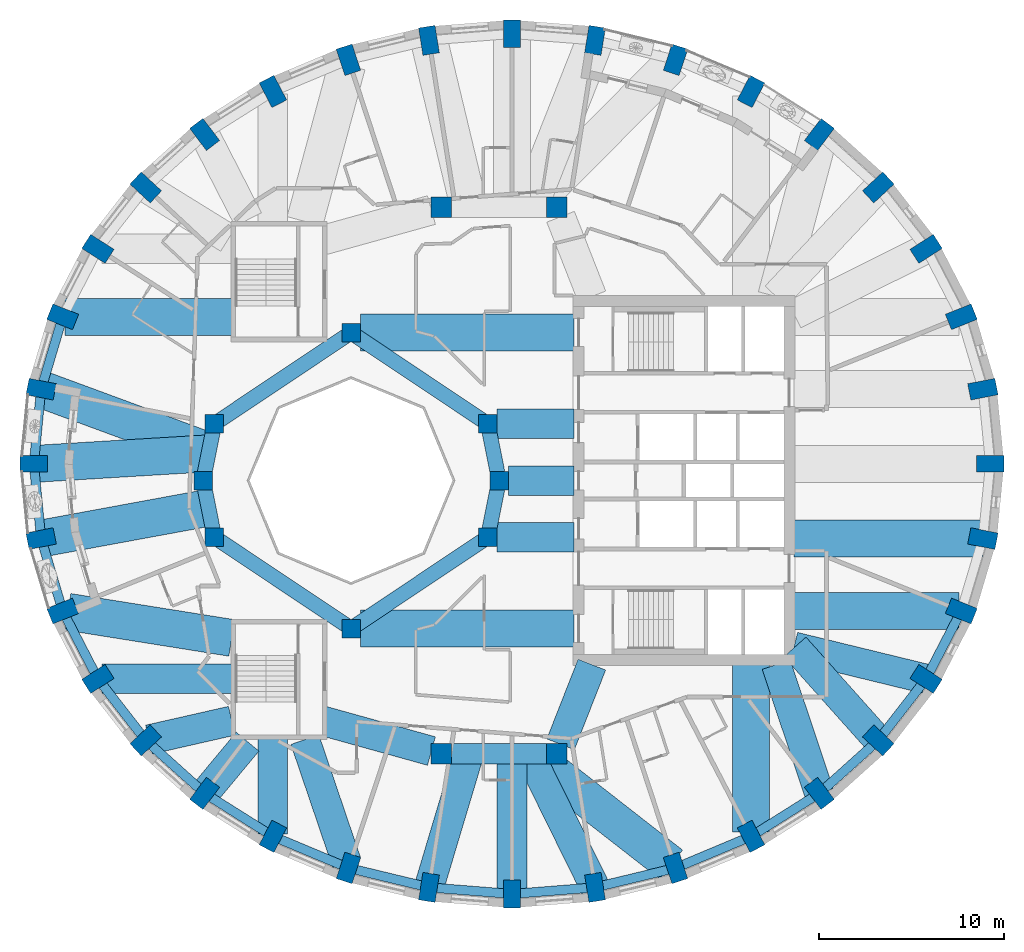
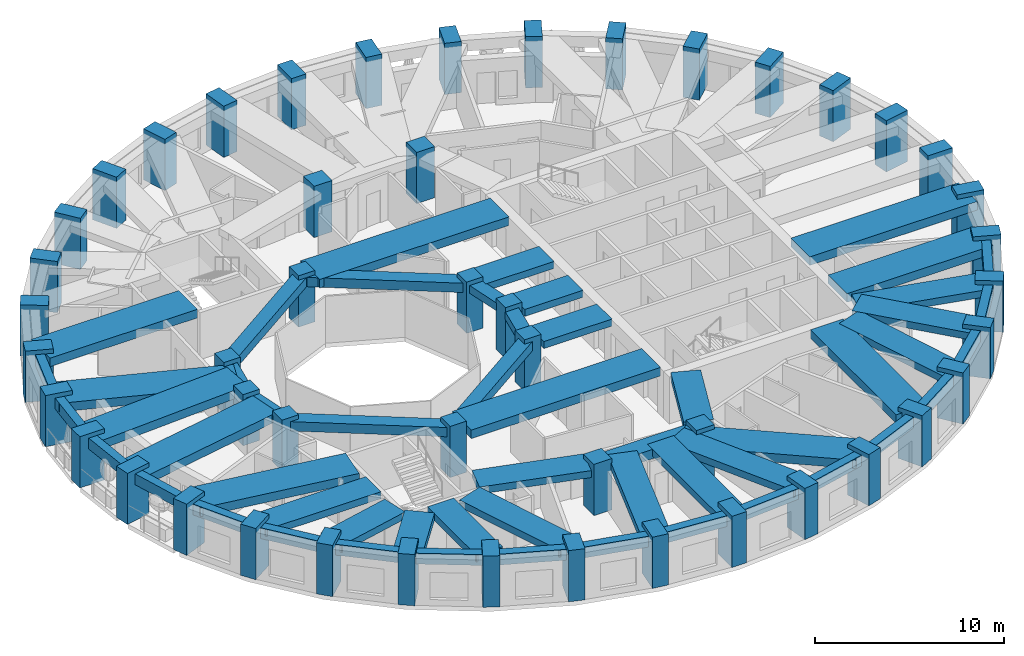
# One storey, part 1 of 12: 54 beams, 48 columns.
"""IFC4 building model written with IfcOpenShell, lengths in metres."""

from ifc_helpers import new_model, si_unit, direction, frame, origin, origin_2d, place, context, subcontext, project, spatial, rectangle, extrude, material, material_profile, profile_set, type_object, element, save


model = new_model("IFC4")

# Units and contexts
model_context = context("Model", 3, precision=1e-05, world=origin(), true_north=direction((0.0, 1.0)))
body_context = subcontext(model_context, "Body", "Model", "MODEL_VIEW")
ifc_project = project(units=[si_unit("LENGTHUNIT", "METRE"), si_unit("AREAUNIT", "SQUARE_METRE"), si_unit("VOLUMEUNIT", "CUBIC_METRE"), si_unit("PLANEANGLEUNIT", "RADIAN"), si_unit("MASSUNIT", "GRAM", prefix="KILO")], contexts=[model_context])

# Site, building, storey
site_placement = place(None, origin())
site = spatial("IfcSite", under=ifc_project, at=site_placement, CompositionType="ELEMENT")
building_placement = place(site_placement, origin())
building = spatial("IfcBuilding", under=site, at=building_placement, Name="Taillehof Tower", CompositionType="ELEMENT")
storey_placement = place(building_placement, frame((0.0, 0.0, 189.199951171875)))
storey = spatial("IfcBuildingStorey", under=building, at=storey_placement, Name="L53", CompositionType="ELEMENT", Elevation=189.199951171875)

# Columns
ifc_material_1 = material(Name="Concrete C50/60", Category="concrete")
ifc_material_profile_1 = material_profile(ifc_material_1, rectangle(XDim=1.0, YDim=1.0, at=origin_2d()), Name="RC 1000x1000")
ifc_profile_set_1 = profile_set([ifc_material_profile_1], Name="Concrete C50/60")
column_type_1 = type_object("IfcColumnType", Name="Atrium ring column C50/60 1000x1000", PredefinedType="COLUMN", material=ifc_profile_set_1)
for number, where, z_axis, x_axis, name in (
    (1, (0.0, 0.0, 0.0), (0.0, 0.0, 1.0), (1.0, 0.0, 0.0), "Column AC01"),
    (2, (-0.60888671875, 3.0615234375, 0.0), (0.0, 0.0, 1.0), (1.0, 0.0, 0.0), "Column AC02"),
    (3, (-8.0, 8.0, 0.0), (0.0, 0.0, 1.0), (1.0, 0.0, 0.0), "Column AC05"),
    (4, (-15.39111328125, 3.0615234375, 0.0), (0.0, 0.0, 1.0), (1.0, 0.0, 0.0), "Column AC08"),
    (5, (-16.0, 0.0, 0.0), (0.0, 0.0, 1.0), (1.0, 0.0, 0.0), "Column AC09"),
    (6, (-15.39111328125, -3.0615234375, 0.0), (0.0, 0.0, 1.0), (1.0, 0.0, 0.0), "Column AC10"),
    (7, (-8.0, -8.0, 0.0), (0.0, 0.0, 1.0), (1.0, 0.0, 0.0), "Column AC13"),
    (8, (-0.60888671875, -3.0615234375, 0.0), (0.0, 0.0, 1.0), (1.0, 0.0, 0.0), "Column AC16"),
):
    element("IfcColumn", number, at=place(storey_placement, frame(where, z_axis=z_axis, x_axis=x_axis)), inside=storey, type_object=column_type_1, Name=name, PredefinedType="COLUMN", context=body_context, shape_type="SweptSolid", body=[
        extrude(rectangle(XDim=1.0, YDim=1.0, at=origin_2d()), origin(), (0.0, 0.0, 1.0), 3.300048828125),
    ])
ifc_material_2 = material(Name="Concrete C50/60", Category="concrete")
ifc_material_profile_2 = material_profile(ifc_material_2, rectangle(XDim=1.10009765625, YDim=1.10009765625, at=origin_2d()), Name="RC 1100x1100")
ifc_profile_set_2 = profile_set([ifc_material_profile_2], Name="Concrete C50/60")
column_type_2 = type_object("IfcColumnType", Name="Mid-ring column C50/60 1100x1100", PredefinedType="COLUMN", material=ifc_profile_set_2)
for number, where, z_axis, x_axis, name in (
    (9, (3.125732421875, 14.772216796875, 0.0), (0.0, 0.0, 1.0), (1.0, 0.0, 0.0), "Column MC05"),
    (10, (-3.125732421875, 14.772216796875, 0.0), (0.0, 0.0, 1.0), (1.0, 0.0, 0.0), "Column MC06"),
    (11, (-3.125732421875, -14.772216796875, 0.0), (0.0, 0.0, 1.0), (1.0, 0.0, 0.0), "Column MC14"),
    (12, (3.125732421875, -14.772216796875, 0.0), (0.0, 0.0, 1.0), (1.0, 0.0, 0.0), "Column MC15"),
):
    element("IfcColumn", number, at=place(storey_placement, frame(where, z_axis=z_axis, x_axis=x_axis)), inside=storey, type_object=column_type_2, Name=name, PredefinedType="COLUMN", context=body_context, shape_type="SweptSolid", body=[
        extrude(rectangle(XDim=1.10009765625, YDim=1.10009765625, at=origin_2d()), origin(), (0.0, 0.0, 1.0), 3.300048828125),
    ])
ifc_material_3 = material(Name="Concrete C60/75", Category="concrete")
ifc_material_profile_3 = material_profile(ifc_material_3, rectangle(XDim=1.5, YDim=0.89990234375, at=origin_2d()), Name="RC 1500x900")
ifc_profile_set_3 = profile_set([ifc_material_profile_3], Name="Concrete C60/75")
column_type_3 = type_object("IfcColumnType", Name="Ring column C60/75 1500x900", PredefinedType="COLUMN", material=ifc_profile_set_3)
for number, where, z_axis, x_axis, name in (
    (13, (26.550048828125, 0.89990234375, 0.0), (0.0, 0.0, 1.0), (1.0, 0.0, 0.0), "Ring column RC01"),
    (14, (26.1572265625, 4.937255859375, 0.0), (0.0, 0.0, 1.0), (0.981433894538, 0.191800705555, 0.0), "Ring column RC02"),
    (15, (24.990966796875, 8.85205078125, 0.0), (0.0, 0.0, 1.0), (0.927385290523, 0.374107635477, 0.0), "Ring column RC03"),
    (16, (23.086669921875, 12.52490234375, 0.0), (0.0, 0.0, 1.0), (0.84231094199, 0.538991908107, 0.0), "Ring column RC04"),
    (17, (20.502197265625, 15.8447265625, 0.0), (0.0, 0.0, 1.0), (0.732270888356, 0.681013469813, 0.0), "Ring column RC05"),
    (18, (17.316162109375, 18.71044921875, 0.0), (0.0, 0.0, 1.0), (0.60360770772, 0.797281465469, 0.0), "Ring column RC06"),
    (19, (13.625, 21.03515625, 0.0), (0.0, 0.0, 1.0), (0.461993199576, 0.886883466722, 0.0), "Ring column RC07"),
    (20, (9.541259765625, 22.747802734375, 0.0), (0.0, 0.0, 1.0), (0.312001306843, 0.950081672557, 0.0), "Ring column RC08"),
    (21, (5.188720703125, 23.796875, 0.0), (0.0, 0.0, 1.0), (0.157116034607, 0.987580149491, 0.0), "Ring column RC09"),
    (22, (0.699951171875, 24.14990234375, 0.0), (0.0, 0.0, 1.0), (0.0, 1.0, 0.0), "Ring column RC10"),
    (23, (-3.788818359375, 23.796875, 0.0), (0.0, 0.0, 1.0), (-0.157116034607, 0.987580149491, 0.0), "Ring column RC11"),
    (24, (-8.14111328125, 22.747802734375, 0.0), (0.0, 0.0, 1.0), (-0.312001306843, 0.950081672557, 0.0), "Ring column RC12"),
    (25, (-12.22509765625, 21.03515625, 0.0), (0.0, 0.0, 1.0), (-0.461993199576, 0.886883466722, 0.0), "Ring column RC13"),
    (26, (-15.916015625, 18.71044921875, 0.0), (0.0, 0.0, 1.0), (-0.60360770772, 0.797281465469, 0.0), "Ring column RC14"),
    (27, (-19.102294921875, 15.8447265625, 0.0), (0.0, 0.0, 1.0), (-0.732270888356, 0.681013469813, 0.0), "Ring column RC15"),
    (28, (-21.686767578125, 12.52490234375, 0.0), (0.0, 0.0, 1.0), (-0.84231094199, 0.538991908107, 0.0), "Ring column RC16"),
    (29, (-23.591064453125, 8.85205078125, 0.0), (0.0, 0.0, 1.0), (-0.927385290523, 0.374107635477, 0.0), "Ring column RC17"),
    (30, (-24.75732421875, 4.937255859375, 0.0), (0.0, 0.0, 1.0), (-0.981433894538, 0.191800705555, 0.0), "Ring column RC18"),
    (31, (-25.14990234375, 0.89990234375, 0.0), (0.0, 0.0, 1.0), (-1.0, 0.0, 0.0), "Ring column RC19"),
    (32, (-24.75732421875, -3.13720703125, 0.0), (0.0, 0.0, 1.0), (-0.981433894538, -0.191800705555, 0.0), "Ring column RC20"),
    (33, (-23.591064453125, -7.052001953125, 0.0), (0.0, 0.0, 1.0), (-0.927385290523, -0.374107635477, 0.0), "Ring column RC21"),
    (34, (-21.686767578125, -10.72509765625, 0.0), (0.0, 0.0, 1.0), (-0.84231094199, -0.538991908107, 0.0), "Ring column RC22"),
    (35, (-19.102294921875, -14.044921875, 0.0), (0.0, 0.0, 1.0), (-0.732270888356, -0.681013469813, 0.0), "Ring column RC23"),
    (36, (-15.916015625, -16.91064453125, 0.0), (0.0, 0.0, 1.0), (-0.60360770772, -0.797281465469, 0.0), "Ring column RC24"),
    (37, (-12.22509765625, -19.235107421875, 0.0), (0.0, 0.0, 1.0), (-0.461993199576, -0.886883466722, 0.0), "Ring column RC25"),
    (38, (-8.14111328125, -20.94775390625, 0.0), (0.0, 0.0, 1.0), (-0.312001306843, -0.950081672557, 0.0), "Ring column RC26"),
    (39, (-3.788818359375, -21.996826171875, 0.0), (0.0, 0.0, 1.0), (-0.157116034607, -0.987580149491, 0.0), "Ring column RC27"),
    (40, (0.699951171875, -22.35009765625, 0.0), (0.0, 0.0, 1.0), (0.0, -1.0, 0.0), "Ring column RC28"),
    (41, (5.188720703125, -21.996826171875, 0.0), (0.0, 0.0, 1.0), (0.157116034607, -0.987580149491, 0.0), "Ring column RC29"),
    (42, (9.541259765625, -20.94775390625, 0.0), (0.0, 0.0, 1.0), (0.312001306843, -0.950081672557, 0.0), "Ring column RC30"),
    (43, (13.625, -19.235107421875, 0.0), (0.0, 0.0, 1.0), (0.461993199576, -0.886883466722, 0.0), "Ring column RC31"),
    (44, (17.316162109375, -16.91064453125, 0.0), (0.0, 0.0, 1.0), (0.60360770772, -0.797281465469, 0.0), "Ring column RC32"),
    (45, (20.502197265625, -14.044921875, 0.0), (0.0, 0.0, 1.0), (0.732270888356, -0.681013469813, 0.0), "Ring column RC33"),
    (46, (23.086669921875, -10.72509765625, 0.0), (0.0, 0.0, 1.0), (0.84231094199, -0.538991908107, 0.0), "Ring column RC34"),
    (47, (24.990966796875, -7.052001953125, 0.0), (0.0, 0.0, 1.0), (0.927385290523, -0.374107635477, 0.0), "Ring column RC35"),
    (48, (26.1572265625, -3.13720703125, 0.0), (0.0, 0.0, 1.0), (0.981433894538, -0.191800705555, 0.0), "Ring column RC36"),
):
    element("IfcColumn", number, at=place(storey_placement, frame(where, z_axis=z_axis, x_axis=x_axis)), inside=storey, type_object=column_type_3, Name=name, PredefinedType="COLUMN", context=body_context, shape_type="SweptSolid", body=[
        extrude(rectangle(XDim=1.5, YDim=0.89990234375, at=origin_2d()), origin(), (0.0, 0.0, 1.0), 3.300048828125),
    ])

# Beams
ifc_material_4 = material(Name="Concrete C50/60", Category="concrete")
ifc_material_profile_4 = material_profile(ifc_material_4, rectangle(XDim=0.800048828125, YDim=0.5, at=origin_2d()), Name="RC 800x500")
ifc_profile_set_4 = profile_set([ifc_material_profile_4], Name="Concrete C50/60")
beam_type_1 = type_object("IfcBeamType", Name="Atrium ring beam C50/60 800x500", PredefinedType="BEAM", material=ifc_profile_set_4)
for number, where, z_axis, x_axis, name in (
    (49, (0.0, 0.0, 2.77001953125), (-0.195063155143, 0.980790683839, 0.0), (-0.980790683839, -0.195063155143, 0.0), "Atrium ring beam AB01"),
    (50, (-15.39111328125, 3.0615234375, 2.77001953125), (-0.195063155143, -0.980790683839, 0.0), (0.980790683839, -0.195063155143, 0.0), "Atrium ring beam AB04"),
    (51, (-16.0, 0.0, 2.77001953125), (0.195063155143, -0.980790683839, 0.0), (0.980790683839, 0.195063155143, 0.0), "Atrium ring beam AB05"),
    (52, (-0.60888671875, -3.0615234375, 2.77001953125), (0.195063155143, 0.980790683839, 0.0), (-0.980790683839, 0.195063155143, 0.0), "Atrium ring beam AB08"),
):
    element("IfcBeam", number, at=place(storey_placement, frame(where, z_axis=z_axis, x_axis=x_axis)), inside=storey, type_object=beam_type_1, Name=name, PredefinedType="BEAM", context=body_context, shape_type="SweptSolid", body=[
        extrude(rectangle(XDim=0.800048828125, YDim=0.5, at=origin_2d()), origin(), (0.0, 0.0, 1.0), 3.12158203125),
    ])
ifc_material_5 = material(Name="Concrete C50/60", Category="concrete")
ifc_material_profile_5 = material_profile(ifc_material_5, rectangle(XDim=0.800048828125, YDim=0.60009765625, at=origin_2d()), Name="RC 800x600")
ifc_profile_set_5 = profile_set([ifc_material_profile_5], Name="Concrete C50/60")
beam_type_2 = type_object("IfcBeamType", Name="Atrium ring beam C50/60 800x600", PredefinedType="BEAM", material=ifc_profile_set_5)
for number, where, z_axis, x_axis, name in (
    (53, (-0.60888671875, 3.0615234375, 2.719970703125), (-0.831475195687, 0.555561876804, 0.0), (-0.555561876804, -0.831475195687, 0.0), "Atrium ring beam AB02"),
    (54, (-8.0, 8.0, 2.719970703125), (-0.831475195687, -0.555561876804, 0.0), (0.555561876804, -0.831475195687, 0.0), "Atrium ring beam AB03"),
    (55, (-15.39111328125, -3.0615234375, 2.719970703125), (0.831475195687, -0.555561876804, 0.0), (0.555561876804, 0.831475195687, 0.0), "Atrium ring beam AB06"),
    (56, (-8.0, -8.0, 2.719970703125), (0.831475195687, 0.555561876804, 0.0), (-0.555561876804, 0.831475195687, 0.0), "Atrium ring beam AB07"),
):
    element("IfcBeam", number, at=place(storey_placement, frame(where, z_axis=z_axis, x_axis=x_axis)), inside=storey, type_object=beam_type_2, Name=name, PredefinedType="BEAM", context=body_context, shape_type="SweptSolid", body=[
        extrude(rectangle(XDim=0.800048828125, YDim=0.60009765625, at=origin_2d()), origin(), (0.0, 0.0, 1.0), 8.88916015625),
    ])
ifc_material_6 = material(Name="Concrete C50/60", Category="concrete")
ifc_material_profile_6 = material_profile(ifc_material_6, rectangle(XDim=1.10009765625, YDim=0.60009765625, at=origin_2d()), Name="RC 1100x600")
ifc_profile_set_6 = profile_set([ifc_material_profile_6], Name="Concrete C50/60")
beam_type_3 = type_object("IfcBeamType", Name="Mid-ring beam C50/60 1100x600", PredefinedType="BEAM", material=ifc_profile_set_6)
beam_1_placement = place(storey_placement, frame((-3.125732421875, -14.772216796875, 2.719970703125), z_axis=(1.0, 0.0, 0.0), x_axis=(0.0, 1.0, 0.0)))
element("IfcBeam", 57, at=beam_1_placement, inside=storey, type_object=beam_type_3, Name="Mid-ring beam MB02", PredefinedType="BEAM", context=body_context, shape_type="SweptSolid", body=[
    extrude(rectangle(XDim=1.10009765625, YDim=0.60009765625, at=origin_2d()), origin(), (0.0, 0.0, 1.0), 6.25146484375),
])
ifc_material_7 = material(Name="Concrete C50/60", Category="concrete")
ifc_material_profile_7 = material_profile(ifc_material_7, rectangle(XDim=1.60009765625, YDim=0.449951171875, at=origin_2d()), Name="RC 1600x450")
ifc_profile_set_7 = profile_set([ifc_material_profile_7], Name="Concrete C50/60")
beam_type_4 = type_object("IfcBeamType", Name="Radial band beam C50/60 1600x450", PredefinedType="BEAM", material=ifc_profile_set_7)
beam_2_placement = place(storey_placement, frame((-21.47021484375, -10.72509765625, 2.795166015625), z_axis=(1.0, 0.0, 0.0), x_axis=(0.0, 1.0, 0.0)))
element("IfcBeam", 58, at=beam_2_placement, inside=storey, type_object=beam_type_4, Name="Radial band beam RB22", PredefinedType="BEAM", context=body_context, shape_type="SweptSolid", body=[
    extrude(rectangle(XDim=1.60009765625, YDim=0.449951171875, at=origin_2d()), origin(), (0.0, 0.0, 1.0), 7.020263671875),
])
beam_3_placement = place(storey_placement, frame((-18.929931640625, -14.005615234375, 2.795166015625), z_axis=(0.975193914537, 0.221352273651, 0.0), x_axis=(-0.221352273651, 0.975193914537, 0.0)))
element("IfcBeam", 59, at=beam_3_placement, inside=storey, type_object=beam_type_4, Name="Radial band beam RB23", PredefinedType="BEAM", context=body_context, shape_type="SweptSolid", body=[
    extrude(rectangle(XDim=1.60009765625, YDim=0.449951171875, at=origin_2d()), origin(), (0.0, 0.0, 1.0), 4.5927734375),
])
beam_4_placement = place(storey_placement, frame((-15.916015625, -16.91064453125, 2.795166015625), z_axis=(0.638722345868, 0.769437304066, 0.0), x_axis=(-0.769437304066, 0.638722345868, 0.0)))
element("IfcBeam", 60, at=beam_4_placement, inside=storey, type_object=beam_type_4, Name="Radial band beam RB24", PredefinedType="BEAM", context=body_context, shape_type="SweptSolid", body=[
    extrude(rectangle(XDim=1.60009765625, YDim=0.449951171875, at=origin_2d()), origin(), (0.0, 0.0, 1.0), 3.6328125),
])
beam_5_placement = place(storey_placement, frame((-12.22509765625, -19.101318359375, 2.795166015625), z_axis=(0.0, 1.0, 0.0), x_axis=(-1.0, 0.0, 0.0)))
element("IfcBeam", 61, at=beam_5_placement, inside=storey, type_object=beam_type_4, Name="Radial band beam RB25", PredefinedType="BEAM", context=body_context, shape_type="SweptSolid", body=[
    extrude(rectangle(XDim=1.60009765625, YDim=0.449951171875, at=origin_2d()), origin(), (0.0, 0.0, 1.0), 5.1513671875),
])
beam_6_placement = place(storey_placement, frame((-8.233642578125, -20.675537109375, 2.795166015625), z_axis=(-0.321475101084, 0.94691803203, 0.0), x_axis=(-0.94691803203, -0.321475101084, 0.0)))
element("IfcBeam", 62, at=beam_6_placement, inside=storey, type_object=beam_type_4, Name="Radial band beam RB26", PredefinedType="BEAM", context=body_context, shape_type="SweptSolid", body=[
    extrude(rectangle(XDim=1.60009765625, YDim=0.449951171875, at=origin_2d()), origin(), (0.0, 0.0, 1.0), 7.042236328125),
])
beam_7_placement = place(storey_placement, frame((-3.788818359375, -21.996826171875, 2.795166015625), z_axis=(0.286825122153, 0.957982958774, 0.0), x_axis=(-0.957982958774, 0.286825122153, 0.0)))
element("IfcBeam", 63, at=beam_7_placement, inside=storey, type_object=beam_type_4, Name="Radial band beam RB27", PredefinedType="BEAM", context=body_context, shape_type="SweptSolid", body=[
    extrude(rectangle(XDim=1.60009765625, YDim=0.449951171875, at=origin_2d()), origin(), (0.0, 0.0, 1.0), 7.54150390625),
])
beam_8_placement = place(storey_placement, frame((0.699951171875, -22.35009765625, 2.795166015625), z_axis=(0.0, 1.0, 0.0), x_axis=(-1.0, 0.0, 0.0)))
element("IfcBeam", 64, at=beam_8_placement, inside=storey, type_object=beam_type_4, Name="Radial band beam RB28", PredefinedType="BEAM", context=body_context, shape_type="SweptSolid", body=[
    extrude(rectangle(XDim=1.60009765625, YDim=0.449951171875, at=origin_2d()), origin(), (0.0, 0.0, 1.0), 7.577880859375),
])
beam_9_placement = place(storey_placement, frame((5.188720703125, -21.996826171875, 2.795166015625), z_axis=(-0.442309181818, 0.896862635903, 0.0), x_axis=(-0.896862635903, -0.442309181818, 0.0)))
element("IfcBeam", 65, at=beam_9_placement, inside=storey, type_object=beam_type_4, Name="Radial band beam RB29", PredefinedType="BEAM", context=body_context, shape_type="SweptSolid", body=[
    extrude(rectangle(XDim=1.60009765625, YDim=0.449951171875, at=origin_2d()), origin(), (0.0, 0.0, 1.0), 8.055419921875),
])
beam_10_placement = place(storey_placement, frame((17.314697265625, -16.906494140625, 2.795166015625), z_axis=(-0.317775276173, 0.948166058164, 0.0), x_axis=(-0.948166058164, -0.317775276173, 0.0)))
element("IfcBeam", 66, at=beam_10_placement, inside=storey, type_object=beam_type_4, Name="Radial band beam RB32", PredefinedType="BEAM", context=body_context, shape_type="SweptSolid", body=[
    extrude(rectangle(XDim=1.60009765625, YDim=0.449951171875, at=origin_2d()), origin(), (0.0, 0.0, 1.0), 7.333984375),
])
beam_11_placement = place(storey_placement, frame((20.502197265625, -14.044921875, 2.795166015625), z_axis=(-0.665845101725, 0.746090008316, 0.0), x_axis=(-0.746090008316, -0.665845101725, 0.0)))
element("IfcBeam", 67, at=beam_11_placement, inside=storey, type_object=beam_type_4, Name="Radial band beam RB33", PredefinedType="BEAM", context=body_context, shape_type="SweptSolid", body=[
    extrude(rectangle(XDim=1.60009765625, YDim=0.449951171875, at=origin_2d()), origin(), (0.0, 0.0, 1.0), 6.766357421875),
])
beam_12_placement = place(storey_placement, frame((23.07568359375, -10.722412109375, 2.795166015625), z_axis=(-0.971629977108, 0.236506210459, 0.0), x_axis=(-0.236506210459, -0.971629977108, 0.0)))
element("IfcBeam", 68, at=beam_12_placement, inside=storey, type_object=beam_type_4, Name="Radial band beam RB34", PredefinedType="BEAM", context=body_context, shape_type="SweptSolid", body=[
    extrude(rectangle(XDim=1.60009765625, YDim=0.449951171875, at=origin_2d()), origin(), (0.0, 0.0, 1.0), 7.332275390625),
])
beam_13_placement = place(storey_placement, frame((0.5, 0.0, 2.795166015625), z_axis=(1.0, 0.0, 0.0), x_axis=(0.0, 1.0, 0.0)))
element("IfcBeam", 69, at=beam_13_placement, inside=storey, type_object=beam_type_4, Name="Inner band beam IB101", PredefinedType="BEAM", context=body_context, shape_type="SweptSolid", body=[
    extrude(rectangle(XDim=1.60009765625, YDim=0.449951171875, at=origin_2d()), origin(), (0.0, 0.0, 1.0), 3.550048828125),
])
for number, where, z_axis, x_axis, name in (
    (70, (-0.10888671875, 3.0615234375, 2.795166015625), (1.0, 0.0, 0.0), (0.0, 1.0, 0.0), "Inner band beam IB102"),
    (71, (-0.10888671875, -3.0615234375, 2.795166015625), (1.0, 0.0, 0.0), (0.0, 1.0, 0.0), "Inner band beam IB116"),
):
    element("IfcBeam", number, at=place(storey_placement, frame(where, z_axis=z_axis, x_axis=x_axis)), inside=storey, type_object=beam_type_4, Name=name, PredefinedType="BEAM", context=body_context, shape_type="SweptSolid", body=[
        extrude(rectangle(XDim=1.60009765625, YDim=0.449951171875, at=origin_2d()), origin(), (0.0, 0.0, 1.0), 4.158935546875),
    ])
beam_14_placement = place(storey_placement, frame((-3.655517578125, -14.624755859375, 2.795166015625), z_axis=(-0.963459369536, 0.267854518821, 0.0), x_axis=(-0.267854518821, -0.963459369536, 0.0)))
element("IfcBeam", 72, at=beam_14_placement, inside=storey, type_object=beam_type_4, Name="Inner band beam IB214", PredefinedType="BEAM", context=body_context, shape_type="SweptSolid", body=[
    extrude(rectangle(XDim=1.60009765625, YDim=0.449951171875, at=origin_2d()), origin(), (0.0, 0.0, 1.0), 6.096923828125),
])
beam_15_placement = place(storey_placement, frame((3.32666015625, -14.26025390625, 2.795166015625), z_axis=(0.365588707223, 0.930776502255, 0.0), x_axis=(-0.930776502255, 0.365588707223, 0.0)))
element("IfcBeam", 73, at=beam_15_placement, inside=storey, type_object=beam_type_4, Name="Inner band beam IB215", PredefinedType="BEAM", context=body_context, shape_type="SweptSolid", body=[
    extrude(rectangle(XDim=1.60009765625, YDim=0.449951171875, at=origin_2d()), origin(), (0.0, 0.0, 1.0), 4.627197265625),
])
ifc_material_8 = material(Name="Concrete C50/60", Category="concrete")
ifc_material_profile_8 = material_profile(ifc_material_8, rectangle(XDim=2.0, YDim=0.550048828125, at=origin_2d()), Name="RC 2000x550")
ifc_profile_set_8 = profile_set([ifc_material_profile_8], Name="Concrete C50/60")
beam_type_5 = type_object("IfcBeamType", Name="Radial band beam C50/60 2000x550", PredefinedType="BEAM", material=ifc_profile_set_8)
beam_16_placement = place(storey_placement, frame((-23.4560546875, 8.85205078125, 2.7451171875), z_axis=(1.0, 0.0, 0.0), x_axis=(0.0, 1.0, 0.0)))
element("IfcBeam", 74, at=beam_16_placement, inside=storey, type_object=beam_type_5, Name="Radial band beam RB17", PredefinedType="BEAM", context=body_context, shape_type="SweptSolid", body=[
    extrude(rectangle(XDim=2.0, YDim=0.550048828125, at=origin_2d()), origin(), (0.0, 0.0, 1.0), 9.006103515625),
])
beam_17_placement = place(storey_placement, frame((-24.75732421875, 4.937255859375, 2.7451171875), z_axis=(0.938209870924, -0.346066811615, 0.0), x_axis=(0.346066811615, 0.938209870924, 0.0)))
element("IfcBeam", 75, at=beam_17_placement, inside=storey, type_object=beam_type_5, Name="Radial band beam RB18", PredefinedType="BEAM", context=body_context, shape_type="SweptSolid", body=[
    extrude(rectangle(XDim=2.0, YDim=0.550048828125, at=origin_2d()), origin(), (0.0, 0.0, 1.0), 9.67138671875),
])
beam_18_placement = place(storey_placement, frame((-25.14990234375, 0.89990234375, 2.7451171875), z_axis=(0.998174819199, 0.060390647592, 0.0), x_axis=(-0.060390647592, 0.998174819199, 0.0)))
element("IfcBeam", 76, at=beam_18_placement, inside=storey, type_object=beam_type_5, Name="Radial band beam RB19", PredefinedType="BEAM", context=body_context, shape_type="SweptSolid", body=[
    extrude(rectangle(XDim=2.0, YDim=0.550048828125, at=origin_2d()), origin(), (0.0, 0.0, 1.0), 9.4599609375),
])
beam_19_placement = place(storey_placement, frame((-24.75732421875, -3.13720703125, 2.7451171875), z_axis=(0.983474452744, 0.181046957445, 0.0), x_axis=(-0.181046957445, 0.983474452744, 0.0)))
element("IfcBeam", 77, at=beam_19_placement, inside=storey, type_object=beam_type_5, Name="Radial band beam RB20", PredefinedType="BEAM", context=body_context, shape_type="SweptSolid", body=[
    extrude(rectangle(XDim=2.0, YDim=0.550048828125, at=origin_2d()), origin(), (0.0, 0.0, 1.0), 9.2021484375),
])
beam_20_placement = place(storey_placement, frame((-23.3076171875, -7.09716796875, 2.7451171875), z_axis=(0.987552836313, -0.157287620272, 0.0), x_axis=(0.157287620272, 0.987552836313, 0.0)))
element("IfcBeam", 78, at=beam_20_placement, inside=storey, type_object=beam_type_5, Name="Radial band beam RB21", PredefinedType="BEAM", context=body_context, shape_type="SweptSolid", body=[
    extrude(rectangle(XDim=2.0, YDim=0.550048828125, at=origin_2d()), origin(), (0.0, 0.0, 1.0), 8.968505859375),
])
beam_21_placement = place(storey_placement, frame((9.3076171875, -20.765625, 2.7451171875), z_axis=(-0.788425359087, 0.615130435882, 0.0), x_axis=(-0.615130435882, -0.788425359087, 0.0)))
element("IfcBeam", 79, at=beam_21_placement, inside=storey, type_object=beam_type_5, Name="Radial band beam RB30", PredefinedType="BEAM", context=body_context, shape_type="SweptSolid", body=[
    extrude(rectangle(XDim=2.0, YDim=0.550048828125, at=origin_2d()), origin(), (0.0, 0.0, 1.0), 9.35595703125),
])
beam_22_placement = place(storey_placement, frame((13.625, -18.99755859375, 2.7451171875), z_axis=(0.0, 1.0, 0.0), x_axis=(-1.0, 0.0, 0.0)))
element("IfcBeam", 80, at=beam_22_placement, inside=storey, type_object=beam_type_5, Name="Radial band beam RB31", PredefinedType="BEAM", context=body_context, shape_type="SweptSolid", body=[
    extrude(rectangle(XDim=2.0, YDim=0.550048828125, at=origin_2d()), origin(), (0.0, 0.0, 1.0), 9.047607421875),
])
beam_23_placement = place(storey_placement, frame((24.856201171875, -7.052001953125, 2.7451171875), z_axis=(-1.0, 0.0, 0.0), x_axis=(0.0, -1.0, 0.0)))
element("IfcBeam", 81, at=beam_23_placement, inside=storey, type_object=beam_type_5, Name="Radial band beam RB35", PredefinedType="BEAM", context=body_context, shape_type="SweptSolid", body=[
    extrude(rectangle(XDim=2.0, YDim=0.550048828125, at=origin_2d()), origin(), (0.0, 0.0, 1.0), 8.90625),
])
beam_24_placement = place(storey_placement, frame((26.1572265625, -3.13720703125, 2.7451171875), z_axis=(-1.0, 0.0, 0.0), x_axis=(0.0, -1.0, 0.0)))
element("IfcBeam", 82, at=beam_24_placement, inside=storey, type_object=beam_type_5, Name="Radial band beam RB36", PredefinedType="BEAM", context=body_context, shape_type="SweptSolid", body=[
    extrude(rectangle(XDim=2.0, YDim=0.550048828125, at=origin_2d()), origin(), (0.0, 0.0, 1.0), 10.207275390625),
])
for number, where, z_axis, x_axis, name in (
    (83, (-7.5, 8.0, 2.7451171875), (1.0, 0.0, 0.0), (0.0, 1.0, 0.0), "Inner band beam IB105"),
    (84, (-7.5, -8.0, 2.7451171875), (1.0, 0.0, 0.0), (0.0, 1.0, 0.0), "Inner band beam IB113"),
):
    element("IfcBeam", number, at=place(storey_placement, frame(where, z_axis=z_axis, x_axis=x_axis)), inside=storey, type_object=beam_type_5, Name=name, PredefinedType="BEAM", context=body_context, shape_type="SweptSolid", body=[
        extrude(rectangle(XDim=2.0, YDim=0.550048828125, at=origin_2d()), origin(), (0.0, 0.0, 1.0), 11.550048828125),
    ])
ifc_material_9 = material(Name="Concrete C50/60", Category="concrete")
ifc_material_profile_9 = material_profile(ifc_material_9, rectangle(XDim=0.5, YDim=0.699951171875, at=origin_2d()), Name="RC 500x700")
ifc_profile_set_9 = profile_set([ifc_material_profile_9], Name="Concrete C50/60")
beam_type_6 = type_object("IfcBeamType", Name="Spandrel beam C50/60 500x700", PredefinedType="SPANDREL", material=ifc_profile_set_9)
beam_25_placement = place(storey_placement, frame((-23.591064453125, 8.85205078125, 2.670166015625), z_axis=(-0.285510458946, -0.9583755933, 0.0), x_axis=(0.9583755933, -0.285510458946, 0.0)))
element("IfcBeam", 85, at=beam_25_placement, inside=storey, type_object=beam_type_6, Name="Spandrel beam SB17", PredefinedType="SPANDREL", context=body_context, shape_type="SweptSolid", body=[
    extrude(rectangle(XDim=0.5, YDim=0.699951171875, at=origin_2d()), origin(), (0.0, 0.0, 1.0), 4.084716796875),
])
beam_26_placement = place(storey_placement, frame((-24.75732421875, 4.937255859375, 2.670166015625), z_axis=(-0.096780051712, -0.995305793006, 0.0), x_axis=(0.995305793006, -0.096780051712, 0.0)))
element("IfcBeam", 86, at=beam_26_placement, inside=storey, type_object=beam_type_6, Name="Spandrel beam SB18", PredefinedType="SPANDREL", context=body_context, shape_type="SweptSolid", body=[
    extrude(rectangle(XDim=0.5, YDim=0.699951171875, at=origin_2d()), origin(), (0.0, 0.0, 1.0), 4.056396484375),
])
beam_27_placement = place(storey_placement, frame((-25.14990234375, 0.89990234375, 2.670166015625), z_axis=(0.096785849576, -0.995305229225, 0.0), x_axis=(0.995305229225, 0.096785849576, 0.0)))
element("IfcBeam", 87, at=beam_27_placement, inside=storey, type_object=beam_type_6, Name="Spandrel beam SB19", PredefinedType="SPANDREL", context=body_context, shape_type="SweptSolid", body=[
    extrude(rectangle(XDim=0.5, YDim=0.699951171875, at=origin_2d()), origin(), (0.0, 0.0, 1.0), 4.05615234375),
])
beam_28_placement = place(storey_placement, frame((-24.75732421875, -3.13720703125, 2.670166015625), z_axis=(0.285510458946, -0.9583755933, 0.0), x_axis=(0.9583755933, 0.285510458946, 0.0)))
element("IfcBeam", 88, at=beam_28_placement, inside=storey, type_object=beam_type_6, Name="Spandrel beam SB20", PredefinedType="SPANDREL", context=body_context, shape_type="SweptSolid", body=[
    extrude(rectangle(XDim=0.5, YDim=0.699951171875, at=origin_2d()), origin(), (0.0, 0.0, 1.0), 4.084716796875),
])
beam_29_placement = place(storey_placement, frame((-23.591064453125, -7.052001953125, 2.670166015625), z_axis=(0.460265491458, -0.887781322947, 0.0), x_axis=(0.887781322947, 0.460265491458, 0.0)))
element("IfcBeam", 89, at=beam_29_placement, inside=storey, type_object=beam_type_6, Name="Spandrel beam SB21", PredefinedType="SPANDREL", context=body_context, shape_type="SweptSolid", body=[
    extrude(rectangle(XDim=0.5, YDim=0.699951171875, at=origin_2d()), origin(), (0.0, 0.0, 1.0), 4.137451171875),
])
beam_30_placement = place(storey_placement, frame((-21.686767578125, -10.72509765625, 2.670166015625), z_axis=(0.614294081938, -0.789077170432, 0.0), x_axis=(0.789077170432, 0.614294081938, 0.0)))
element("IfcBeam", 90, at=beam_30_placement, inside=storey, type_object=beam_type_6, Name="Spandrel beam SB22", PredefinedType="SPANDREL", context=body_context, shape_type="SweptSolid", body=[
    extrude(rectangle(XDim=0.5, YDim=0.699951171875, at=origin_2d()), origin(), (0.0, 0.0, 1.0), 4.207275390625),
])
beam_31_placement = place(storey_placement, frame((-19.102294921875, -14.044921875, 2.670166015625), z_axis=(0.743517893617, -0.668716039789, 0.0), x_axis=(0.668716039789, 0.743517893617, 0.0)))
element("IfcBeam", 91, at=beam_31_placement, inside=storey, type_object=beam_type_6, Name="Spandrel beam SB23", PredefinedType="SPANDREL", context=body_context, shape_type="SweptSolid", body=[
    extrude(rectangle(XDim=0.5, YDim=0.699951171875, at=origin_2d()), origin(), (0.0, 0.0, 1.0), 4.285400390625),
])
beam_32_placement = place(storey_placement, frame((-15.916015625, -16.91064453125, 2.670166015625), z_axis=(0.846175819179, -0.532903821564, 0.0), x_axis=(0.532903821564, 0.846175819179, 0.0)))
element("IfcBeam", 92, at=beam_32_placement, inside=storey, type_object=beam_type_6, Name="Spandrel beam SB24", PredefinedType="SPANDREL", context=body_context, shape_type="SweptSolid", body=[
    extrude(rectangle(XDim=0.5, YDim=0.699951171875, at=origin_2d()), origin(), (0.0, 0.0, 1.0), 4.36181640625),
])
beam_33_placement = place(storey_placement, frame((-12.22509765625, -19.235107421875, 2.670166015625), z_axis=(0.922193747603, -0.386728188632, 0.0), x_axis=(0.386728188632, 0.922193747603, 0.0)))
element("IfcBeam", 93, at=beam_33_placement, inside=storey, type_object=beam_type_6, Name="Spandrel beam SB25", PredefinedType="SPANDREL", context=body_context, shape_type="SweptSolid", body=[
    extrude(rectangle(XDim=0.5, YDim=0.699951171875, at=origin_2d()), origin(), (0.0, 0.0, 1.0), 4.428466796875),
])
beam_34_placement = place(storey_placement, frame((-8.14111328125, -20.94775390625, 2.670166015625), z_axis=(0.972157646478, -0.234327784087, 0.0), x_axis=(0.234327784087, 0.972157646478, 0.0)))
element("IfcBeam", 94, at=beam_34_placement, inside=storey, type_object=beam_type_6, Name="Spandrel beam SB26", PredefinedType="SPANDREL", context=body_context, shape_type="SweptSolid", body=[
    extrude(rectangle(XDim=0.5, YDim=0.699951171875, at=origin_2d()), origin(), (0.0, 0.0, 1.0), 4.47705078125),
])
for number, where, z_axis, x_axis, name in (
    (95, (-3.788818359375, -21.996826171875, 2.670166015625), (0.996917374369, -0.078458579393, 0.0), (0.078458579393, 0.996917374369, 0.0), "Spandrel beam SB27"),
    (96, (0.699951171875, -22.35009765625, 2.670166015625), (0.996917374369, 0.078458579393, 0.0), (-0.078458579393, 0.996917374369, 0.0), "Spandrel beam SB28"),
):
    element("IfcBeam", number, at=place(storey_placement, frame(where, z_axis=z_axis, x_axis=x_axis)), inside=storey, type_object=beam_type_6, Name=name, PredefinedType="SPANDREL", context=body_context, shape_type="SweptSolid", body=[
        extrude(rectangle(XDim=0.5, YDim=0.699951171875, at=origin_2d()), origin(), (0.0, 0.0, 1.0), 4.502685546875),
    ])
beam_35_placement = place(storey_placement, frame((5.188720703125, -21.996826171875, 2.670166015625), z_axis=(0.972160640613, 0.234315361943, 0.0), x_axis=(-0.234315361943, 0.972160640613, 0.0)))
element("IfcBeam", 97, at=beam_35_placement, inside=storey, type_object=beam_type_6, Name="Spandrel beam SB29", PredefinedType="SPANDREL", context=body_context, shape_type="SweptSolid", body=[
    extrude(rectangle(XDim=0.5, YDim=0.699951171875, at=origin_2d()), origin(), (0.0, 0.0, 1.0), 4.477294921875),
])
beam_36_placement = place(storey_placement, frame((9.541259765625, -20.94775390625, 2.670166015625), z_axis=(0.92218550199, 0.386747850569, 0.0), x_axis=(-0.386747850569, 0.92218550199, 0.0)))
element("IfcBeam", 98, at=beam_36_placement, inside=storey, type_object=beam_type_6, Name="Spandrel beam SB30", PredefinedType="SPANDREL", context=body_context, shape_type="SweptSolid", body=[
    extrude(rectangle(XDim=0.5, YDim=0.699951171875, at=origin_2d()), origin(), (0.0, 0.0, 1.0), 4.42822265625),
])
beam_37_placement = place(storey_placement, frame((13.625, -19.235107421875, 2.670166015625), z_axis=(0.846191713174, 0.532878583314, 0.0), x_axis=(-0.532878583314, 0.846191713174, 0.0)))
element("IfcBeam", 99, at=beam_37_placement, inside=storey, type_object=beam_type_6, Name="Spandrel beam SB31", PredefinedType="SPANDREL", context=body_context, shape_type="SweptSolid", body=[
    extrude(rectangle(XDim=0.5, YDim=0.699951171875, at=origin_2d()), origin(), (0.0, 0.0, 1.0), 4.362060546875),
])
beam_38_placement = place(storey_placement, frame((17.316162109375, -16.91064453125, 2.670166015625), z_axis=(0.743492416006, 0.668744366213, 0.0), x_axis=(-0.668744366213, 0.743492416006, 0.0)))
element("IfcBeam", 100, at=beam_38_placement, inside=storey, type_object=beam_type_6, Name="Spandrel beam SB32", PredefinedType="SPANDREL", context=body_context, shape_type="SweptSolid", body=[
    extrude(rectangle(XDim=0.5, YDim=0.699951171875, at=origin_2d()), origin(), (0.0, 0.0, 1.0), 4.28515625),
])
beam_39_placement = place(storey_placement, frame((20.502197265625, -14.044921875, 2.670166015625), z_axis=(0.614294081938, 0.789077170432, 0.0), x_axis=(-0.789077170432, 0.614294081938, 0.0)))
element("IfcBeam", 101, at=beam_39_placement, inside=storey, type_object=beam_type_6, Name="Spandrel beam SB33", PredefinedType="SPANDREL", context=body_context, shape_type="SweptSolid", body=[
    extrude(rectangle(XDim=0.5, YDim=0.699951171875, at=origin_2d()), origin(), (0.0, 0.0, 1.0), 4.207275390625),
])
beam_40_placement = place(storey_placement, frame((23.086669921875, -10.72509765625, 2.670166015625), z_axis=(0.460265491458, 0.887781322947, 0.0), x_axis=(-0.887781322947, 0.460265491458, 0.0)))
element("IfcBeam", 102, at=beam_40_placement, inside=storey, type_object=beam_type_6, Name="Spandrel beam SB34", PredefinedType="SPANDREL", context=body_context, shape_type="SweptSolid", body=[
    extrude(rectangle(XDim=0.5, YDim=0.699951171875, at=origin_2d()), origin(), (0.0, 0.0, 1.0), 4.137451171875),
])

save(model, "model.ifc")
